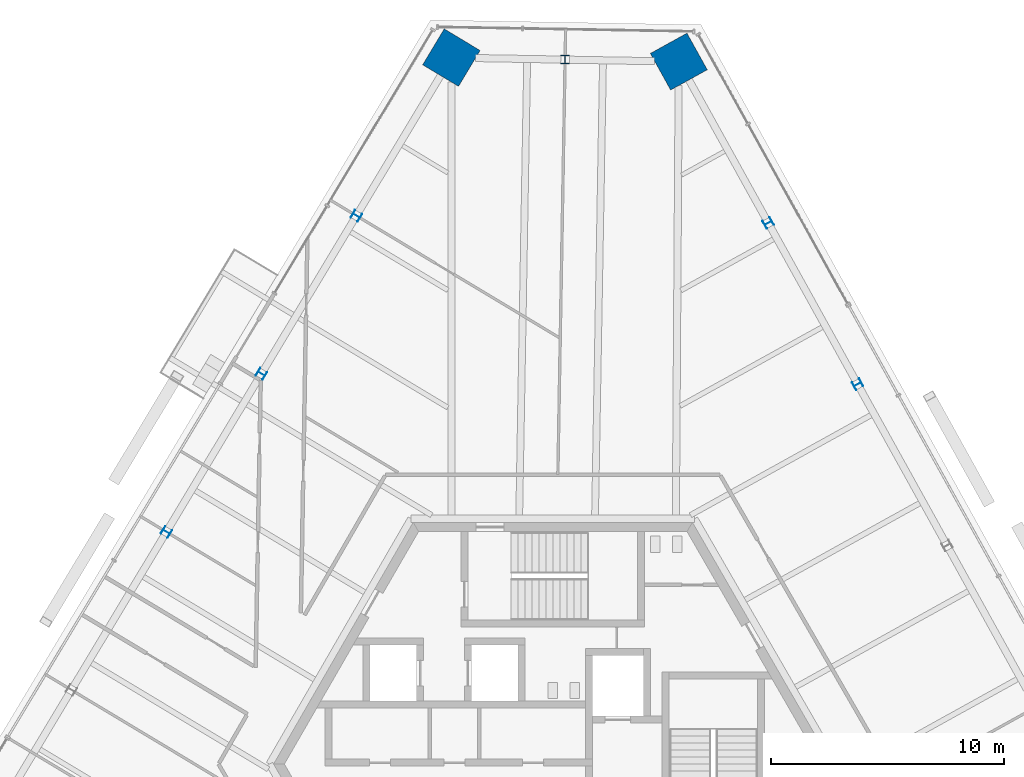
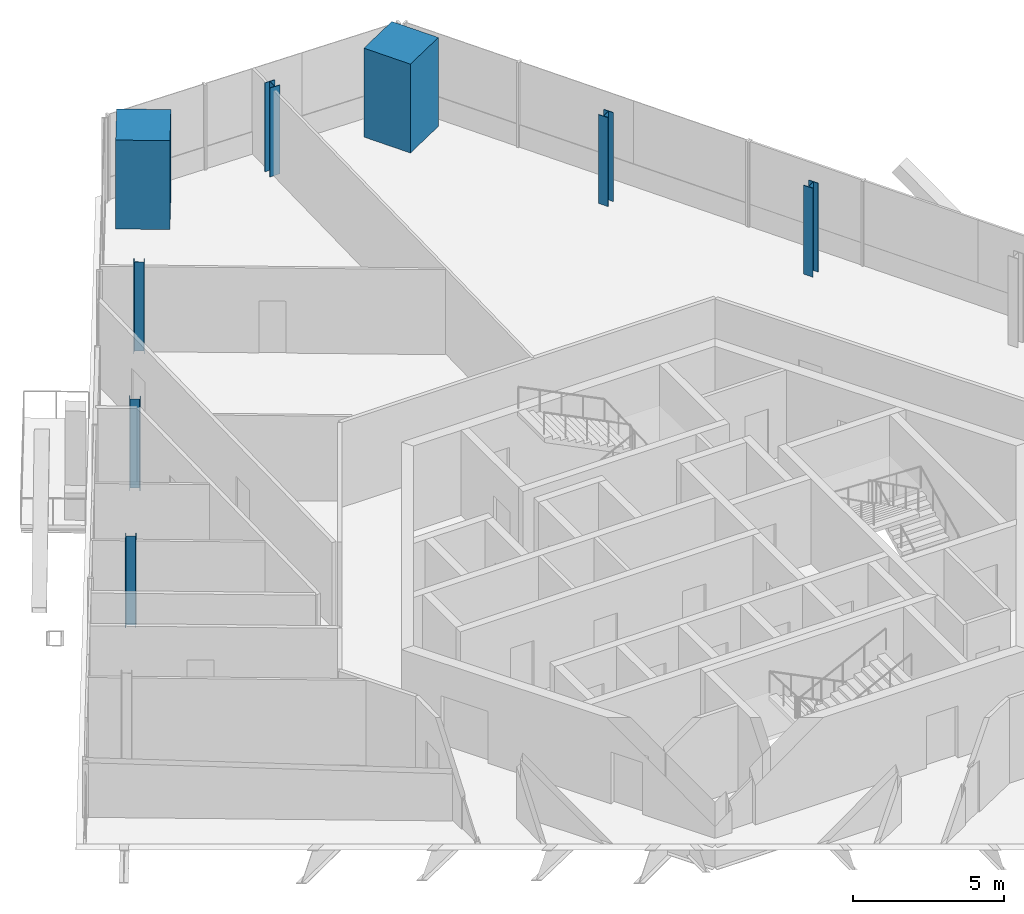
# One storey, part 3 of 18: 8 columns.
"""IFC4 building model written with IfcOpenShell, lengths in metres."""

from ifc_helpers import new_model, si_unit, direction, frame, origin, origin_2d, place, context, subcontext, project, spatial, rectangle, i_section, extrude, source, transform, mapped, material, material_profile, profile_set, type_object, element, save


model = new_model("IFC4")

# Units and contexts
model_context = context("Model", 3, precision=1e-05, world=origin(), true_north=direction((0.0, 1.0)))
body_context = subcontext(model_context, "Body", "Model", "MODEL_VIEW")
ifc_project = project(units=[si_unit("LENGTHUNIT", "METRE"), si_unit("AREAUNIT", "SQUARE_METRE"), si_unit("VOLUMEUNIT", "CUBIC_METRE"), si_unit("PLANEANGLEUNIT", "RADIAN"), si_unit("MASSUNIT", "GRAM", prefix="KILO")], contexts=[model_context])

# Site, building, storey
site_placement = place(None, origin())
site = spatial("IfcSite", under=ifc_project, at=site_placement, CompositionType="ELEMENT")
building_placement = place(site_placement, origin())
building = spatial("IfcBuilding", under=site, at=building_placement, Name="Triune Harvest Tower", CompositionType="ELEMENT")
storey_placement = place(building_placement, frame((0.0, 0.0, 197.89990234375)))
storey = spatial("IfcBuildingStorey", under=building, at=storey_placement, Name="L51", CompositionType="ELEMENT", Elevation=197.89990234375)

# Columns
ifc_material_1 = material(Name="Concrete 70 MPa", Category="concrete")
ifc_material_profile_1 = material_profile(ifc_material_1, rectangle(XDim=1.800048828125, YDim=1.800048828125, at=origin_2d()), Name="Composite 1800x1800")
ifc_profile_set_1 = profile_set([ifc_material_profile_1], Name="Concrete 70 MPa")
column_type_1 = type_object("IfcColumnType", Name="MC-5 Mega column Composite 1800x1800", PredefinedType="COLUMN", material=ifc_profile_set_1)
shared_shape_1 = source(origin(), body_context, "Body", "SweptSolid", [
    extrude(rectangle(XDim=1.800048828125, YDim=1.800048828125, at=origin_2d()), origin(), (0.0, 0.0, 1.0), 3.60009765625),
])
for number, where, z_axis, x_axis, name in (
    (1, (5.416015625, 30.193115234375, 0.0), (0.0, 0.0, 1.0), (-0.484809620246, 0.874619707139, 0.0), "col/L51/M6"),
    (2, (-4.359130859375, 30.36376953125, 0.0), (0.0, 0.0, 1.0), (-0.51503657887, -0.857168199612, 0.0), "col/L51/M8"),
):
    element("IfcColumn", number, at=place(storey_placement, frame(where, z_axis=z_axis, x_axis=x_axis)), inside=storey, type_object=column_type_1, Name=name, PredefinedType="COLUMN", context=body_context, shape_type="MappedRepresentation", body=[
        mapped(shared_shape_1, transform((0.0, 0.0, 0.0), scale=1.0)),
    ])
ifc_material_2 = material(Name="Steel ASTM A992 Gr 50", Category="steel")
ifc_material_profile_2 = material_profile(ifc_material_2, i_section(OverallWidth=0.370849609375, OverallDepth=0.36328125, WebThickness=0.013427734375, FlangeThickness=0.021728515625, at=origin_2d()), Name="W14x109")
ifc_profile_set_2 = profile_set([ifc_material_profile_2], Name="Steel ASTM A992 Gr 50")
column_type_2 = type_object("IfcColumnType", Name="PC-5 Perimeter column W14x109", PredefinedType="COLUMN", material=ifc_profile_set_2)
shared_shape_2 = source(origin(), body_context, "Body", "SweptSolid", [
    extrude(i_section(OverallWidth=0.370849609375, OverallDepth=0.36328125, WebThickness=0.013427734375, FlangeThickness=0.021728515625, at=origin_2d()), origin(), (0.0, 0.0, 1.0), 3.60009765625),
])
for number, where, z_axis, x_axis, name in (
    (3, (13.1025390625, 16.326416015625, 0.0), (0.0, 0.0, 1.0), (-0.484809620246, 0.874619707139, 0.0), "col/L51/P4"),
    (4, (9.25927734375, 23.259765625, 0.0), (0.0, 0.0, 1.0), (-0.484809620246, 0.874619707139, 0.0), "col/L51/P5"),
    (5, (0.528564453125, 30.2783203125, 0.0), (0.0, 0.0, 1.0), (-0.999847725615, 0.017450661374, 0.0), "col/L51/P7"),
    (6, (-8.44189453125, 23.568603515625, 0.0), (0.0, 0.0, 1.0), (-0.51503657887, -0.857168199612, 0.0), "col/L51/P9"),
    (7, (-12.524658203125, 16.773681640625, 0.0), (0.0, 0.0, 1.0), (-0.51503657887, -0.857168199612, 0.0), "col/L51/P10"),
    (8, (-16.607421875, 9.978759765625, 0.0), (0.0, 0.0, 1.0), (-0.51503657887, -0.857168199612, 0.0), "col/L51/P11"),
):
    element("IfcColumn", number, at=place(storey_placement, frame(where, z_axis=z_axis, x_axis=x_axis)), inside=storey, type_object=column_type_2, Name=name, PredefinedType="COLUMN", context=body_context, shape_type="MappedRepresentation", body=[
        mapped(shared_shape_2, transform((0.0, 0.0, 0.0), scale=1.0)),
    ])

save(model, "model.ifc")
